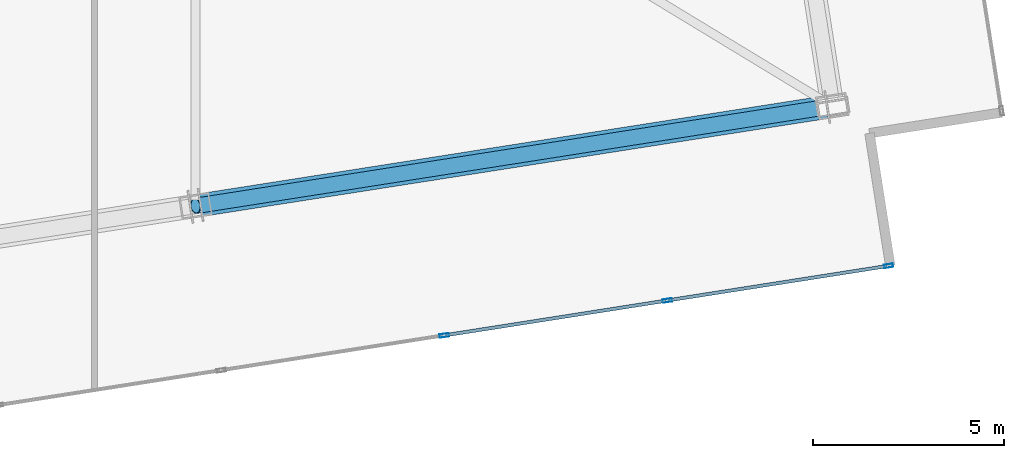
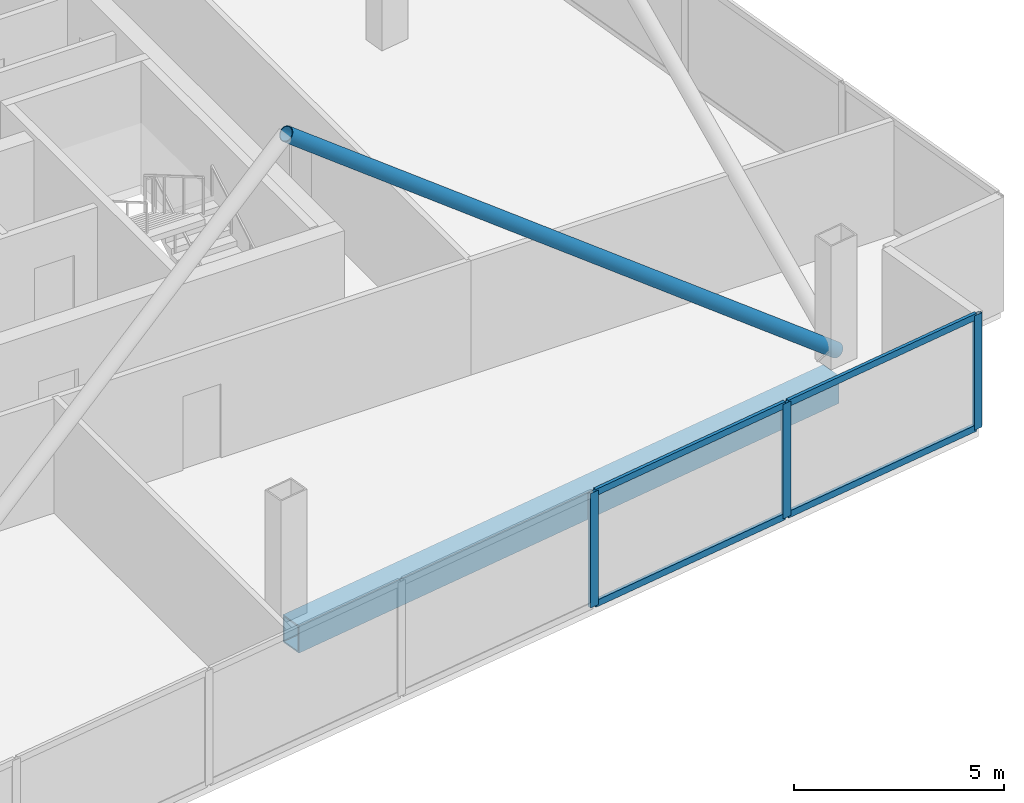
# One storey, part 8 of 21: 8 members, 1 beam, 1 element without a shape of its own.
"""IFC4 building model written with IfcOpenShell, lengths in metres."""

from ifc_helpers import new_model, si_unit, direction, frame, origin, origin_2d, place, context, subcontext, project, spatial, hollow_rectangle, hollow_circle, extrude, material, material_profile, profile_set, type_object, element, aggregate, save


model = new_model("IFC4")

# Units and contexts
model_context = context("Model", 3, precision=1e-05, world=origin(), true_north=direction((0.0, 1.0)))
body_context = subcontext(model_context, "Body", "Model", "MODEL_VIEW")
ifc_project = project(units=[si_unit("LENGTHUNIT", "METRE"), si_unit("AREAUNIT", "SQUARE_METRE"), si_unit("VOLUMEUNIT", "CUBIC_METRE"), si_unit("PLANEANGLEUNIT", "RADIAN"), si_unit("MASSUNIT", "GRAM", prefix="KILO")], contexts=[model_context])

# Site, building, storey
site_placement = place(None, origin())
site = spatial("IfcSite", under=ifc_project, at=site_placement, CompositionType="ELEMENT")
building_placement = place(site_placement, origin())
building = spatial("IfcBuilding", under=site, at=building_placement, Name="Haldenkirk Collegiate Tower", CompositionType="ELEMENT")
storey_placement = place(building_placement, frame((0.0, 0.0, 360.60009765625)))
storey = spatial("IfcBuildingStorey", under=building, at=storey_placement, Name="L91", CompositionType="ELEMENT", Elevation=360.60009765625)

# Beam
ifc_material_1 = material(Name="Steel ASTM A572 Grade 50", Category="steel")
ifc_material_profile_1 = material_profile(ifc_material_1, hollow_rectangle(XDim=0.60009765625, YDim=0.800048828125, WallThickness=0.0400390625, at=origin_2d()), Name="BOX800X600X40")
ifc_profile_set_1 = profile_set([ifc_material_profile_1], Name="Steel ASTM A572 Grade 50")
beam_type = type_object("IfcBeamType", Name="BM-SPANDREL-BOX800X600X40", PredefinedType="SPANDREL", material=ifc_profile_set_1)
beam_placement = place(storey_placement, frame((38.785888671875, 9.178466796875, -0.670166015625), z_axis=(0.987959171117, 0.154714822192, 0.0), x_axis=(-0.154714822192, 0.987959171117, 0.0)))
element("IfcBeam", 1, at=beam_placement, inside=storey, type_object=beam_type, Name="L91 Crown Ring Frame perimeter girder 8", PredefinedType="SPANDREL", context=body_context, shape_type="SweptSolid", body=[
    extrude(hollow_rectangle(XDim=0.60009765625, YDim=0.800048828125, WallThickness=0.0400390625, at=origin_2d()), origin(), (0.0, 0.0, 1.0), 16.550048828125),
])

# Curtain wall, members
ifc_material_2 = material(Name="Anodised architectural bronze aluminium", Category="aluminium")
curtain_wall_type = type_object("IfcCurtainWallType", Name="CW-SYS6-CROWN", PredefinedType="USERDEFINED", material=ifc_material_2)
curtain_wall_placement = place(storey_placement, origin())
curtain_wall = element("IfcCurtainWall", 2, at=curtain_wall_placement, inside=storey, type_object=curtain_wall_type, Name="L91 Closed crown ring ceramic-fritted bronze screen curtain wall", ObjectType="UNITISED CURTAIN WALL", PredefinedType="USERDEFINED")
ifc_material_profile_2 = material_profile(ifc_material_2, hollow_rectangle(XDim=0.090087890625, YDim=0.239990234375, WallThickness=0.0048828125, at=origin_2d()), Name="CW-MUL-06")
ifc_profile_set_2 = profile_set([ifc_material_profile_2], Name="Anodised architectural bronze aluminium")
member_type_1 = type_object("IfcMemberType", Name="CW-MUL-06", PredefinedType="MULLION", material=ifc_profile_set_2)
member_1_placement = place(storey_placement, frame((56.753173828125, 7.589111328125, 0.0), z_axis=(0.0, 0.0, 1.0), x_axis=(0.154708982189, -0.987960085646, 0.0)))
member_1 = element("IfcMember", 3, at=member_1_placement, type_object=member_type_1, Name="CW-06 mullion 1", PredefinedType="MULLION", context=body_context, shape_type="SweptSolid", body=[
    extrude(hollow_rectangle(XDim=0.090087890625, YDim=0.239990234375, WallThickness=0.0048828125, at=origin_2d()), origin(), (0.0, 0.0, 1.0), 3.329833984375),
])
member_2_placement = place(storey_placement, frame((50.96875, 6.68310546875, 0.0), z_axis=(0.0, 0.0, 1.0), x_axis=(0.154708982189, -0.987960085646, 0.0)))
member_2 = element("IfcMember", 4, at=member_2_placement, type_object=member_type_1, Name="CW-06 mullion 2", PredefinedType="MULLION", context=body_context, shape_type="SweptSolid", body=[
    extrude(hollow_rectangle(XDim=0.090087890625, YDim=0.239990234375, WallThickness=0.0048828125, at=origin_2d()), origin(), (0.0, 0.0, 1.0), 3.329833984375),
])
member_3_placement = place(storey_placement, frame((45.1396484375, 5.7705078125, 0.0), z_axis=(0.0, 0.0, 1.0), x_axis=(0.154708982189, -0.987960085646, 0.0)))
member_3 = element("IfcMember", 5, at=member_3_placement, type_object=member_type_1, Name="CW-06 mullion 3", PredefinedType="MULLION", context=body_context, shape_type="SweptSolid", body=[
    extrude(hollow_rectangle(XDim=0.090087890625, YDim=0.239990234375, WallThickness=0.0048828125, at=origin_2d()), origin(), (0.0, 0.0, 1.0), 3.329833984375),
])
ifc_material_profile_3 = material_profile(ifc_material_2, hollow_rectangle(XDim=0.090087890625, YDim=0.18994140625, WallThickness=0.0048828125, at=origin_2d()), Name="CW-TRN-06")
ifc_profile_set_3 = profile_set([ifc_material_profile_3], Name="Anodised architectural bronze aluminium")
member_type_2 = type_object("IfcMemberType", Name="CW-TRN-06", PredefinedType="USERDEFINED", material=ifc_profile_set_3)
member_4_placement = place(storey_placement, frame((56.708740234375, 7.58203125, 0.044921875), z_axis=(-0.987961315074, -0.154701130951, 0.0), x_axis=(0.154701130951, -0.987961315074, 0.0)))
member_4 = element("IfcMember", 6, at=member_4_placement, type_object=member_type_2, Name="CW-06 transom 1.1", ObjectType="TRANSOM", PredefinedType="USERDEFINED", context=body_context, shape_type="SweptSolid", body=[
    extrude(hollow_rectangle(XDim=0.090087890625, YDim=0.18994140625, WallThickness=0.0048828125, at=origin_2d()), origin(), (0.0, 0.0, 1.0), 5.764892578125),
])
member_5_placement = place(storey_placement, frame((56.708740234375, 7.58203125, 3.284912109375), z_axis=(-0.987961315074, -0.154701130951, 0.0), x_axis=(0.154701130951, -0.987961315074, 0.0)))
member_5 = element("IfcMember", 7, at=member_5_placement, type_object=member_type_2, Name="CW-06 transom 1.2", ObjectType="TRANSOM", PredefinedType="USERDEFINED", context=body_context, shape_type="SweptSolid", body=[
    extrude(hollow_rectangle(XDim=0.090087890625, YDim=0.18994140625, WallThickness=0.0048828125, at=origin_2d()), origin(), (0.0, 0.0, 1.0), 5.764892578125),
])
member_6_placement = place(storey_placement, frame((50.92431640625, 6.67626953125, 0.044921875), z_axis=(-0.987958095237, -0.154721692257, 0.0), x_axis=(0.154721692257, -0.987958095237, 0.0)))
member_6 = element("IfcMember", 8, at=member_6_placement, type_object=member_type_2, Name="CW-06 transom 2.1", ObjectType="TRANSOM", PredefinedType="USERDEFINED", context=body_context, shape_type="SweptSolid", body=[
    extrude(hollow_rectangle(XDim=0.090087890625, YDim=0.18994140625, WallThickness=0.0048828125, at=origin_2d()), origin(), (0.0, 0.0, 1.0), 5.81005859375),
])
member_7_placement = place(storey_placement, frame((50.92431640625, 6.67626953125, 3.284912109375), z_axis=(-0.987958095237, -0.154721692257, 0.0), x_axis=(0.154721692257, -0.987958095237, 0.0)))
member_7 = element("IfcMember", 9, at=member_7_placement, type_object=member_type_2, Name="CW-06 transom 2.2", ObjectType="TRANSOM", PredefinedType="USERDEFINED", context=body_context, shape_type="SweptSolid", body=[
    extrude(hollow_rectangle(XDim=0.090087890625, YDim=0.18994140625, WallThickness=0.0048828125, at=origin_2d()), origin(), (0.0, 0.0, 1.0), 5.81005859375),
])
aggregate(curtain_wall, [member_1, member_2, member_3, member_4, member_5, member_6, member_7])

# Member
ifc_material_profile_4 = material_profile(ifc_material_1, hollow_circle(Radius=0.202880859375, WallThickness=0.02001953125, at=origin_2d()), Name="CHS406X20")
ifc_profile_set_4 = profile_set([ifc_material_profile_4], Name="Steel ASTM A572 Grade 50")
member_type_3 = type_object("IfcMemberType", Name="MBR-CROWNBRACE-CHS406", PredefinedType="BRACE", material=ifc_profile_set_4)
member_8_placement = place(storey_placement, frame((55.284912109375, 11.76220703125, 0.25), z_axis=(-0.766563291746, -0.120042864905, 0.630848975851), x_axis=(0.154713225385, -0.987959421176, 0.0)))
element("IfcMember", 10, at=member_8_placement, inside=storey, type_object=member_type_3, Name="Crown Ring Frame diagonal brace W2", PredefinedType="BRACE", context=body_context, shape_type="SweptSolid", body=[
    extrude(hollow_circle(Radius=0.202880859375, WallThickness=0.02001953125, at=origin_2d()), origin(), (0.0, 0.0, 1.0), 21.716796875),
])

save(model, "model.ifc")
